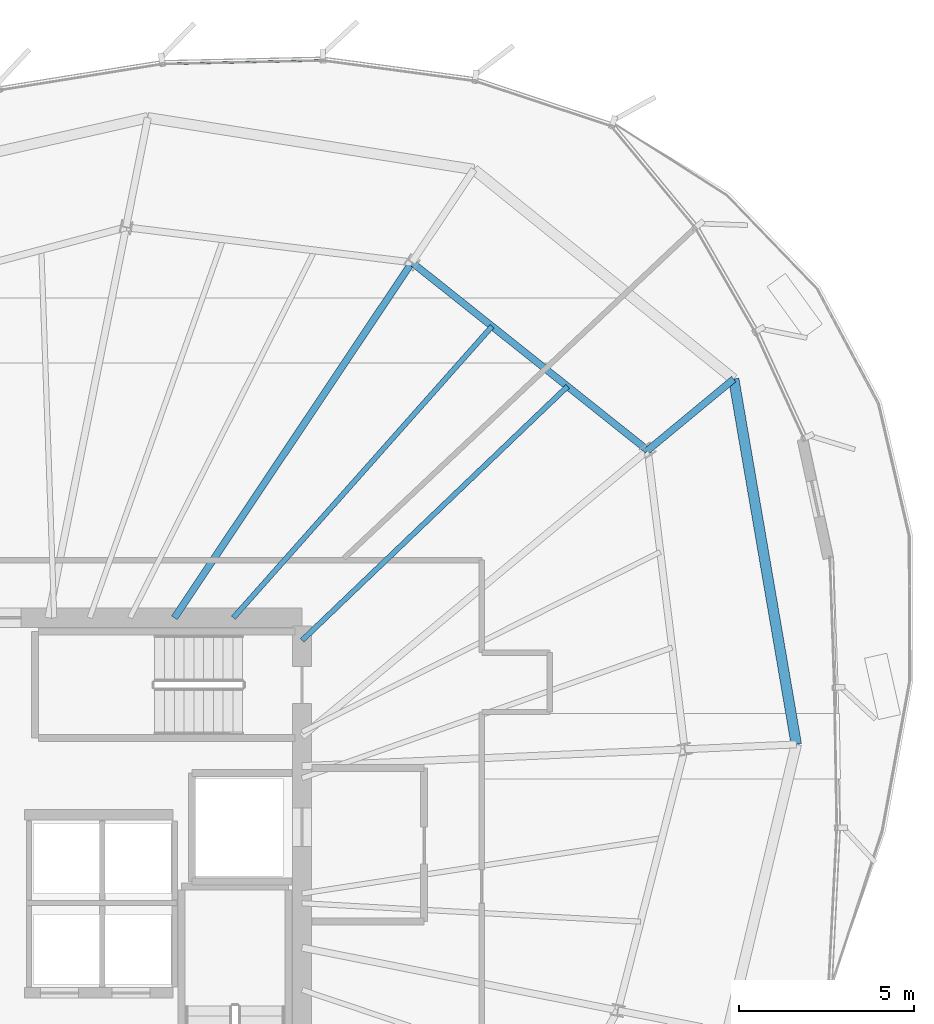
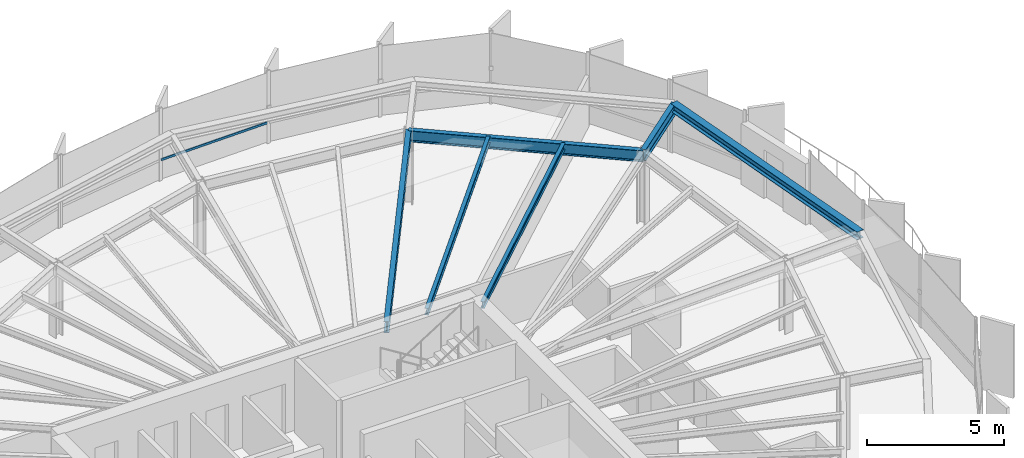
# One storey, part 24 of 35: 6 beams, 1 member, 1 element without a shape of its own.
"""IFC4 building model written with IfcOpenShell, lengths in metres."""

from ifc_helpers import new_model, si_unit, direction, frame, origin, origin_2d, place, context, subcontext, project, spatial, hollow_rectangle, i_section, extrude, source, transform, mapped, material, layer, layer_set, material_profile, profile_set, type_object, element, aggregate, save


model = new_model("IFC4")

# Units and contexts
model_context = context("Model", 3, precision=1e-05, world=origin(), true_north=direction((0.0, 1.0)))
body_context = subcontext(model_context, "Body", "Model", "MODEL_VIEW")
ifc_project = project(units=[si_unit("LENGTHUNIT", "METRE"), si_unit("AREAUNIT", "SQUARE_METRE"), si_unit("VOLUMEUNIT", "CUBIC_METRE"), si_unit("PLANEANGLEUNIT", "RADIAN"), si_unit("MASSUNIT", "GRAM", prefix="KILO"), si_unit("THERMODYNAMICTEMPERATUREUNIT", "KELVIN")], contexts=[model_context])

# Site, building, storey
site_placement = place(None, origin())
site = spatial("IfcSite", under=ifc_project, at=site_placement, CompositionType="ELEMENT")
building_placement = place(site_placement, origin())
building = spatial("IfcBuilding", under=site, at=building_placement, Name="Kethvar Cultural Tower", CompositionType="ELEMENT")
storey_placement = place(building_placement, frame((0.0, 0.0, 179.89990234375)))
storey = spatial("IfcBuildingStorey", under=building, at=storey_placement, Name="L46", CompositionType="ELEMENT", Elevation=179.89990234375)

# Beams
ifc_material_1 = material(Name="Steel S355J2", Category="steel")
ifc_material_profile_1 = material_profile(ifc_material_1, i_section(OverallWidth=0.199951171875, OverallDepth=0.5, WebThickness=0.01025390625, FlangeThickness=0.01611328125, FilletRadius=0.02099609375, at=origin_2d()), Name="Steel S355J2 — IPE500")
ifc_profile_set_1 = profile_set([ifc_material_profile_1], Name="Steel S355J2 — IPE500")
beam_type_1 = type_object("IfcBeamType", Name="BM-IPE500", PredefinedType="BEAM", material=ifc_profile_set_1)
shared_shape_1 = source(origin(), body_context, "Body", "SweptSolid", [
    extrude(i_section(OverallWidth=0.199951171875, OverallDepth=0.5, WebThickness=0.01025390625, FlangeThickness=0.01611328125, FilletRadius=0.02099609375, at=origin_2d()), origin(), (0.0, 0.0, 1.0), 3.199951171875),
])
beam_1_placement = place(storey_placement, frame((65.504150390625, 40.297607421875, 3.008056640625), z_axis=(0.770324538831, 0.637652024913, 0.0), x_axis=(-0.637652024913, 0.770324538831, 0.0)))
element("IfcBeam", 1, at=beam_1_placement, inside=storey, type_object=beam_type_1, Name="L46 Perimeter Cantilever Beam RC-02", PredefinedType="BEAM", context=body_context, shape_type="MappedRepresentation", body=[
    mapped(shared_shape_1, transform((0.0, 0.0, 0.0), scale=1.0)),
])
shared_shape_2 = source(origin(), body_context, "Body", "SweptSolid", [
    extrude(i_section(OverallWidth=0.199951171875, OverallDepth=0.5, WebThickness=0.01025390625, FlangeThickness=0.01611328125, FilletRadius=0.02099609375, at=origin_2d()), origin(), (0.0, 0.0, 1.0), 12.2451171875),
])
beam_2_placement = place(storey_placement, frame((51.945068359375, 35.5, 3.008056640625), z_axis=(0.555569492312, 0.831470107227, 0.0), x_axis=(-0.831470107227, 0.555569492312, 0.0)))
element("IfcBeam", 2, at=beam_2_placement, inside=storey, type_object=beam_type_1, Name="L46 Primary Radial Beam RB-03", PredefinedType="BEAM", context=body_context, shape_type="MappedRepresentation", body=[
    mapped(shared_shape_2, transform((0.0, 0.0, 0.0), scale=1.0)),
])
ifc_material_profile_2 = material_profile(ifc_material_1, i_section(OverallWidth=0.300048828125, OverallDepth=0.360107421875, WebThickness=0.012451171875, FlangeThickness=0.0224609375, FilletRadius=0.027099609375, at=origin_2d()), Name="Steel S355J2 — HEB360")
ifc_profile_set_2 = profile_set([ifc_material_profile_2], Name="Steel S355J2 — HEB360")
beam_type_2 = type_object("IfcBeamType", Name="BM-SP360", PredefinedType="SPANDREL", material=ifc_profile_set_2)
shared_shape_3 = source(origin(), body_context, "Body", "SweptSolid", [
    extrude(i_section(OverallWidth=0.300048828125, OverallDepth=0.360107421875, WebThickness=0.012451171875, FlangeThickness=0.0224609375, FilletRadius=0.027099609375, at=origin_2d()), origin(), (0.0, 0.0, 1.0), 10.618896484375),
])
beam_3_placement = place(storey_placement, frame((69.760986328125, 31.87158203125, 3.078125), z_axis=(-0.168733441284, 0.985661719756, 0.0), x_axis=(-0.985661719756, -0.168733441284, 0.0)))
element("IfcBeam", 3, at=beam_3_placement, inside=storey, type_object=beam_type_2, Name="L46 Perimeter Spandrel Beam SP-01", PredefinedType="SPANDREL", context=body_context, shape_type="MappedRepresentation", body=[
    mapped(shared_shape_3, transform((0.0, 0.0, 0.0), scale=1.0)),
])
shared_shape_4 = source(origin(), body_context, "Body", "SweptSolid", [
    extrude(i_section(OverallWidth=0.199951171875, OverallDepth=0.5, WebThickness=0.01025390625, FlangeThickness=0.01611328125, FilletRadius=0.02099609375, at=origin_2d()), origin(), (0.0, 0.0, 1.0), 8.638916015625),
])
beam_4_placement = place(storey_placement, frame((65.504150390625, 40.297607421875, 3.008056640625), z_axis=(-0.782058475366, 0.623205055425, 0.0), x_axis=(-0.623205055425, -0.782058475366, 0.0)))
element("IfcBeam", 4, at=beam_4_placement, inside=storey, type_object=beam_type_1, Name="L46 Column Ring Tie Beam CR-02", PredefinedType="BEAM", context=body_context, shape_type="MappedRepresentation", body=[
    mapped(shared_shape_4, transform((0.0, 0.0, 0.0), scale=1.0)),
])
ifc_material_profile_3 = material_profile(ifc_material_1, i_section(OverallWidth=0.14990234375, OverallDepth=0.300048828125, WebThickness=0.007080078125, FlangeThickness=0.0107421875, FilletRadius=0.014892578125, at=origin_2d()), Name="Steel S355J2 — IPE300")
ifc_profile_set_3 = profile_set([ifc_material_profile_3], Name="Steel S355J2 — IPE300")
beam_type_3 = type_object("IfcBeamType", Name="BM-J300", PredefinedType="JOIST", material=ifc_profile_set_3)
shared_shape_5 = source(origin(), body_context, "Body", "SweptSolid", [
    extrude(i_section(OverallWidth=0.14990234375, OverallDepth=0.300048828125, WebThickness=0.007080078125, FlangeThickness=0.0107421875, FilletRadius=0.014892578125, at=origin_2d()), origin(), (0.0, 0.0, 1.0), 10.52783203125),
])
beam_5_placement = place(storey_placement, frame((55.60009765625, 34.85009765625, 3.108154296875), z_axis=(0.722552708299, 0.691315835006, 0.0), x_axis=(-0.691315835006, 0.722552708299, 0.0)))
element("IfcBeam", 5, at=beam_5_placement, inside=storey, type_object=beam_type_3, Name="L46 Composite Floor Joist J-02A", PredefinedType="JOIST", context=body_context, shape_type="MappedRepresentation", body=[
    mapped(shared_shape_5, transform((0.0, 0.0, 0.0), scale=1.0)),
])
shared_shape_6 = source(origin(), body_context, "Body", "SweptSolid", [
    extrude(i_section(OverallWidth=0.14990234375, OverallDepth=0.300048828125, WebThickness=0.007080078125, FlangeThickness=0.0107421875, FilletRadius=0.014892578125, at=origin_2d()), origin(), (0.0, 0.0, 1.0), 11.16552734375),
])
beam_6_placement = place(storey_placement, frame((53.6337890625, 35.5, 3.108154296875), z_axis=(0.663773261048, 0.747933859321, 0.0), x_axis=(-0.747933859321, 0.663773261048, 0.0)))
element("IfcBeam", 6, at=beam_6_placement, inside=storey, type_object=beam_type_3, Name="L46 Composite Floor Joist J-02B", PredefinedType="JOIST", context=body_context, shape_type="MappedRepresentation", body=[
    mapped(shared_shape_6, transform((0.0, 0.0, 0.0), scale=1.0)),
])

# Curtain wall, member
ifc_material_2 = material(Name="Aluminium 6063-T6", Category="aluminium")
ifc_layer = layer(ifc_material_2, 0.179931640625, Name="Aluminium 6063-T6", Category="aluminium")
ifc_layer_set = layer_set([ifc_layer], Name="Aluminium 6063-T6 (180 mm)")
curtain_wall_type = type_object("IfcCurtainWallType", Name="CW-SYS-04-Z34", PredefinedType="NOTDEFINED", material=ifc_layer_set)
curtain_wall_placement = place(storey_placement, origin())
curtain_wall = element("IfcCurtainWall", 7, at=curtain_wall_placement, inside=storey, type_object=curtain_wall_type, Name="L46 Curtain Wall Run 01", PredefinedType="NOTDEFINED")
ifc_material_profile_4 = material_profile(ifc_material_2, hollow_rectangle(XDim=0.050048828125, YDim=0.10009765625, WallThickness=0.00390625, at=origin_2d()), Name="Aluminium 6063-T6 — RHS100x50x4")
ifc_profile_set_4 = profile_set([ifc_material_profile_4], Name="Aluminium 6063-T6 — RHS100x50x4")
member_type = type_object("IfcMemberType", Name="CW-SYS-04-Z34-TRN", PredefinedType="USERDEFINED", material=ifc_profile_set_4)
shared_shape_7 = source(origin(), body_context, "Body", "SweptSolid", [
    extrude(hollow_rectangle(XDim=0.050048828125, YDim=0.10009765625, WallThickness=0.00390625, at=origin_2d()), origin(), (0.0, 0.0, 1.0), 4.52734375),
])
member_placement = place(storey_placement, frame((56.15673828125, 51.46728515625, 0.9501953125), z_axis=(-0.999759130158, -0.021947247356, 0.0), x_axis=(0.021947247356, -0.999759130158, 0.0)))
member = element("IfcMember", 8, at=member_placement, type_object=member_type, Name="CW-L46-R01 Transom 5", ObjectType="TRANSOM", PredefinedType="USERDEFINED", context=body_context, shape_type="MappedRepresentation", body=[
    mapped(shared_shape_7, transform((0.0, 0.0, 0.0), scale=1.0)),
])
aggregate(curtain_wall, [member])

save(model, "model.ifc")
